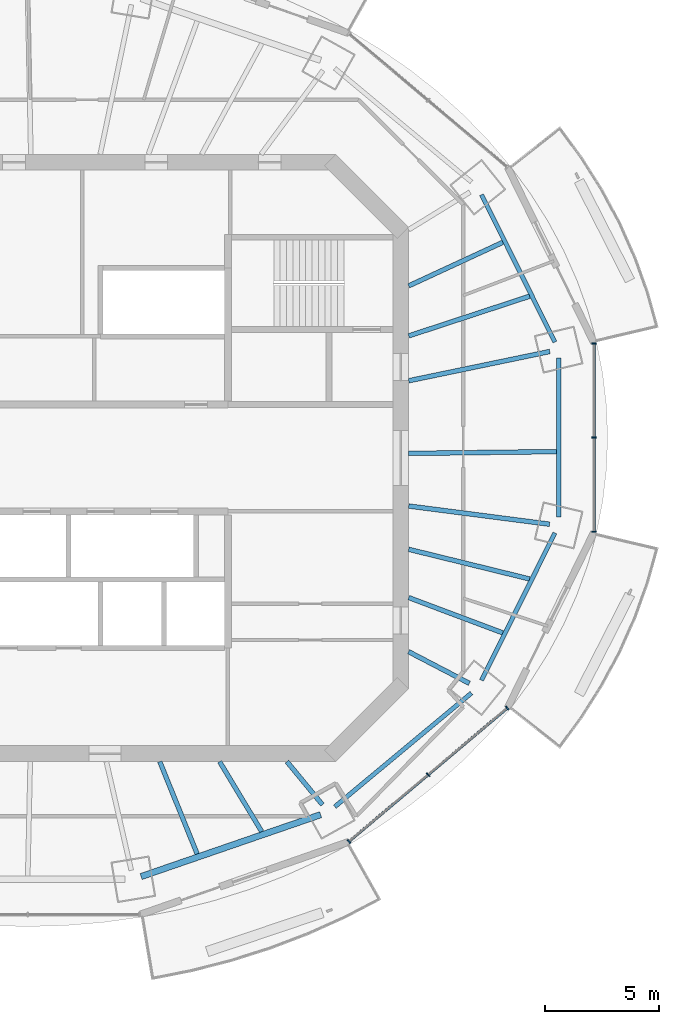
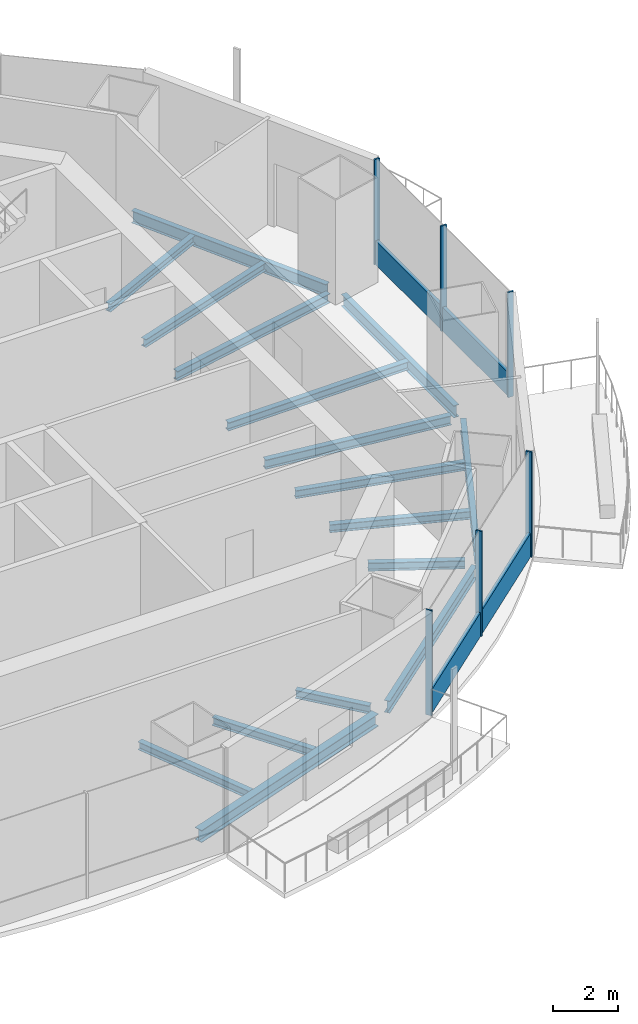
# One storey, part 4 of 15: 16 beams, 8 members, 2 elements without a shape of their own.
"""IFC4 building model written with IfcOpenShell, lengths in metres."""

from ifc_helpers import new_model, si_unit, direction, frame, origin, origin_2d, place, context, subcontext, project, spatial, rectangle, i_section, extrude, material, material_profile, profile_set, type_object, element, aggregate, save


model = new_model("IFC4")

# Units and contexts
model_context = context("Model", 3, precision=1e-05, world=origin(), true_north=direction((0.0, 1.0)))
body_context = subcontext(model_context, "Body", "Model", "MODEL_VIEW")
ifc_project = project(units=[si_unit("LENGTHUNIT", "METRE"), si_unit("AREAUNIT", "SQUARE_METRE"), si_unit("VOLUMEUNIT", "CUBIC_METRE"), si_unit("PLANEANGLEUNIT", "RADIAN"), si_unit("MASSUNIT", "GRAM", prefix="KILO")], contexts=[model_context])

# Site, building, storey
site_placement = place(None, origin())
site = spatial("IfcSite", under=ifc_project, at=site_placement, CompositionType="ELEMENT")
building_placement = place(site_placement, origin())
building = spatial("IfcBuilding", under=site, at=building_placement, Name="Marenthal Gate Tower", CompositionType="ELEMENT")
storey_placement = place(building_placement, frame((0.0, 0.0, 388.25)))
storey = spatial("IfcBuildingStorey", under=building, at=storey_placement, Name="L88", CompositionType="ELEMENT", Elevation=388.25)

# Curtain wall, members
ifc_material_1 = material(Name="Aluminium and glass", Category="aluminium")
curtain_wall_type = type_object("IfcCurtainWallType", Name="Curtain wall typical high", PredefinedType="NOTDEFINED", material=ifc_material_1)
curtain_wall_1_placement = place(storey_placement, origin())
curtain_wall_1 = element("IfcCurtainWall", 1, at=curtain_wall_1_placement, inside=storey, type_object=curtain_wall_type, Name="Curtain wall L88 bay 14", PredefinedType="NOTDEFINED")
ifc_material_2 = material(Name="Aluminium", Category="aluminium")
ifc_material_profile_1 = material_profile(ifc_material_2, rectangle(XDim=0.199951171875, YDim=0.06005859375, at=origin_2d()), Name="60x200 aluminium mullion")
ifc_profile_set_1 = profile_set([ifc_material_profile_1], Name="Aluminium")
member_type_1 = type_object("IfcMemberType", Name="Mullion 60x200 typical high", PredefinedType="MULLION", material=ifc_profile_set_1)
member_1_placement = place(storey_placement, frame((13.723388671875, -16.857421875, 0.0), z_axis=(0.0, 0.0, 1.0), x_axis=(-0.644265226944, 0.764802142616, 0.0)))
member_1 = element("IfcMember", 2, at=member_1_placement, type_object=member_type_1, Name="Mullion L88 bay 14.1", PredefinedType="MULLION", context=body_context, shape_type="SweptSolid", body=[
    extrude(rectangle(XDim=0.199951171875, YDim=0.06005859375, at=origin_2d()), origin(), (0.0, 0.0, 1.0), 3.969970703125),
])
member_2_placement = place(storey_placement, frame((17.20166015625, -13.927490234375, 0.0), z_axis=(0.0, 0.0, 1.0), x_axis=(-0.644265226944, 0.764802142616, 0.0)))
member_2 = element("IfcMember", 3, at=member_2_placement, type_object=member_type_1, Name="Mullion L88 bay 14.2", PredefinedType="MULLION", context=body_context, shape_type="SweptSolid", body=[
    extrude(rectangle(XDim=0.199951171875, YDim=0.06005859375, at=origin_2d()), origin(), (0.0, 0.0, 1.0), 3.969970703125),
])
member_3_placement = place(storey_placement, frame((20.6796875, -10.997314453125, 0.0), z_axis=(0.0, 0.0, 1.0), x_axis=(-0.644265226944, 0.764802142616, 0.0)))
member_3 = element("IfcMember", 4, at=member_3_placement, type_object=member_type_1, Name="Mullion L88 bay 14.3", PredefinedType="MULLION", context=body_context, shape_type="SweptSolid", body=[
    extrude(rectangle(XDim=0.199951171875, YDim=0.06005859375, at=origin_2d()), origin(), (0.0, 0.0, 1.0), 3.969970703125),
])

curtain_wall_2_placement = place(storey_placement, origin())
curtain_wall_2 = element("IfcCurtainWall", 5, at=curtain_wall_2_placement, inside=storey, type_object=curtain_wall_type, Name="Curtain wall L88 bay 16", PredefinedType="NOTDEFINED")
member_4_placement = place(storey_placement, frame((24.4921875, -3.240966796875, 0.0), z_axis=(0.0, 0.0, 1.0), x_axis=(-1.0, 0.0, 0.0)))
member_4 = element("IfcMember", 6, at=member_4_placement, type_object=member_type_1, Name="Mullion L88 bay 16.1", PredefinedType="MULLION", context=body_context, shape_type="SweptSolid", body=[
    extrude(rectangle(XDim=0.199951171875, YDim=0.06005859375, at=origin_2d()), origin(), (0.0, 0.0, 1.0), 3.969970703125),
])
member_5_placement = place(storey_placement, frame((24.4921875, 0.89990234375, 0.0), z_axis=(0.0, 0.0, 1.0), x_axis=(-1.0, 0.0, 0.0)))
member_5 = element("IfcMember", 7, at=member_5_placement, type_object=member_type_1, Name="Mullion L88 bay 16.2", PredefinedType="MULLION", context=body_context, shape_type="SweptSolid", body=[
    extrude(rectangle(XDim=0.199951171875, YDim=0.06005859375, at=origin_2d()), origin(), (0.0, 0.0, 1.0), 3.969970703125),
])
member_6_placement = place(storey_placement, frame((24.4921875, 5.041015625, 0.0), z_axis=(0.0, 0.0, 1.0), x_axis=(-1.0, 0.0, 0.0)))
member_6 = element("IfcMember", 8, at=member_6_placement, type_object=member_type_1, Name="Mullion L88 bay 16.3", PredefinedType="MULLION", context=body_context, shape_type="SweptSolid", body=[
    extrude(rectangle(XDim=0.199951171875, YDim=0.06005859375, at=origin_2d()), origin(), (0.0, 0.0, 1.0), 3.969970703125),
])

# Member
ifc_material_3 = material(Name="Aluminium", Category="aluminium")
ifc_material_profile_2 = material_profile(ifc_material_3, rectangle(XDim=0.1201171875, YDim=0.89990234375, at=origin_2d()), Name="120x900 aluminium transom")
ifc_profile_set_2 = profile_set([ifc_material_profile_2], Name="Aluminium")
member_type_2 = type_object("IfcMemberType", Name="Transom 120x900 typical high", PredefinedType="USERDEFINED", material=ifc_profile_set_2)
member_7_placement = place(storey_placement, frame((13.746337890625, -16.838134765625, 0.449951171875), z_axis=(0.764801880801, 0.644265537743, 0.0), x_axis=(-0.644265537743, 0.764801880801, 0.0)))
member_7 = element("IfcMember", 9, at=member_7_placement, type_object=member_type_2, Name="Transom L88 bay 14", ObjectType="TRANSOM", PredefinedType="USERDEFINED", context=body_context, shape_type="SweptSolid", body=[
    extrude(rectangle(XDim=0.1201171875, YDim=0.89990234375, at=origin_2d()), origin(), (0.0, 0.0, 1.0), 9.03564453125),
])

aggregate(curtain_wall_1, [member_1, member_2, member_3, member_7])

member_8_placement = place(storey_placement, frame((24.4921875, -3.2109375, 0.449951171875), z_axis=(0.0, 1.0, 0.0), x_axis=(-1.0, 0.0, 0.0)))
member_8 = element("IfcMember", 10, at=member_8_placement, type_object=member_type_2, Name="Transom L88 bay 16", ObjectType="TRANSOM", PredefinedType="USERDEFINED", context=body_context, shape_type="SweptSolid", body=[
    extrude(rectangle(XDim=0.1201171875, YDim=0.89990234375, at=origin_2d()), origin(), (0.0, 0.0, 1.0), 8.221923828125),
])

aggregate(curtain_wall_2, [member_4, member_5, member_6, member_8])

# Beams
ifc_material_4 = material(Name="Steel S355", Category="steel")
ifc_material_profile_3 = material_profile(ifc_material_4, i_section(OverallWidth=0.202880859375, OverallDepth=0.302001953125, WebThickness=0.007568359375, FlangeThickness=0.01318359375, FilletRadius=0.0126953125, at=origin_2d()), Name="W310X60")
ifc_profile_set_3 = profile_set([ifc_material_profile_3], Name="Steel S355")
beam_type_1 = type_object("IfcBeamType", Name="W310X60 beam", PredefinedType="BEAM", material=ifc_profile_set_3)
beam_1_placement = place(storey_placement, frame((21.66650390625, 7.11181640625, -0.3310546875), z_axis=(-0.950121914048, -0.311878739971, 0.0), x_axis=(0.311878739971, -0.950121914048, 0.0)))
element("IfcBeam", 11, at=beam_1_placement, inside=storey, type_object=beam_type_1, Name="BM-L88-17", PredefinedType="BEAM", context=body_context, shape_type="SweptSolid", body=[
    extrude(i_section(OverallWidth=0.202880859375, OverallDepth=0.302001953125, WebThickness=0.007568359375, FlangeThickness=0.01318359375, FilletRadius=0.0126953125, at=origin_2d()), origin(), (0.0, 0.0, 1.0), 5.595458984375),
])
beam_2_placement = place(storey_placement, frame((20.48681640625, 9.48095703125, -0.3310546875), z_axis=(-0.907516815218, -0.420015749819, 0.0), x_axis=(0.420015749819, -0.907516815218, 0.0)))
element("IfcBeam", 12, at=beam_2_placement, inside=storey, type_object=beam_type_1, Name="BM-L88-18", PredefinedType="BEAM", context=body_context, shape_type="SweptSolid", body=[
    extrude(i_section(OverallWidth=0.202880859375, OverallDepth=0.302001953125, WebThickness=0.007568359375, FlangeThickness=0.01318359375, FilletRadius=0.0126953125, at=origin_2d()), origin(), (0.0, 0.0, 1.0), 4.558349609375),
])
beam_3_placement = place(storey_placement, frame((7.050537109375, -17.404541015625, -0.3310546875), z_axis=(-0.375486166847, 0.92682799834, 0.0), x_axis=(-0.92682799834, -0.375486166847, 0.0)))
element("IfcBeam", 13, at=beam_3_placement, inside=storey, type_object=beam_type_1, Name="BM-L88-33", PredefinedType="BEAM", context=body_context, shape_type="SweptSolid", body=[
    extrude(i_section(OverallWidth=0.202880859375, OverallDepth=0.302001953125, WebThickness=0.007568359375, FlangeThickness=0.01318359375, FilletRadius=0.0126953125, at=origin_2d()), origin(), (0.0, 0.0, 1.0), 4.37451171875),
])
beam_4_placement = place(storey_placement, frame((9.88916015625, -16.42626953125, -0.3310546875), z_axis=(-0.515795030801, 0.856712020577, 0.0), x_axis=(-0.856712020577, -0.515795030801, 0.0)))
element("IfcBeam", 14, at=beam_4_placement, inside=storey, type_object=beam_type_1, Name="BM-L88-34", PredefinedType="BEAM", context=body_context, shape_type="SweptSolid", body=[
    extrude(i_section(OverallWidth=0.202880859375, OverallDepth=0.302001953125, WebThickness=0.007568359375, FlangeThickness=0.01318359375, FilletRadius=0.0126953125, at=origin_2d()), origin(), (0.0, 0.0, 1.0), 3.590576171875),
])
beam_5_placement = place(storey_placement, frame((20.483642578125, -7.6875, -0.3310546875), z_axis=(-0.936222328992, 0.351408239368, 0.0), x_axis=(-0.351408239368, -0.936222328992, 0.0)))
element("IfcBeam", 15, at=beam_5_placement, inside=storey, type_object=beam_type_1, Name="BM-L88-35", PredefinedType="BEAM", context=body_context, shape_type="SweptSolid", body=[
    extrude(i_section(OverallWidth=0.202880859375, OverallDepth=0.302001953125, WebThickness=0.007568359375, FlangeThickness=0.01318359375, FilletRadius=0.0126953125, at=origin_2d()), origin(), (0.0, 0.0, 1.0), 4.4150390625),
])
beam_6_placement = place(storey_placement, frame((21.6630859375, -5.318603515625, -0.3310546875), z_axis=(-0.971157636969, 0.23843834456, 0.0), x_axis=(-0.23843834456, -0.971157636969, 0.0)))
element("IfcBeam", 16, at=beam_6_placement, inside=storey, type_object=beam_type_1, Name="BM-L88-36", PredefinedType="BEAM", context=body_context, shape_type="SweptSolid", body=[
    extrude(i_section(OverallWidth=0.202880859375, OverallDepth=0.302001953125, WebThickness=0.007568359375, FlangeThickness=0.01318359375, FilletRadius=0.0126953125, at=origin_2d()), origin(), (0.0, 0.0, 1.0), 5.470703125),
])
ifc_material_5 = material(Name="Steel S355", Category="steel")
ifc_material_profile_4 = material_profile(ifc_material_5, i_section(OverallWidth=0.205078125, OverallDepth=0.31005859375, WebThickness=0.009521484375, FlangeThickness=0.016357421875, FilletRadius=0.0126953125, at=origin_2d()), Name="W310X74")
ifc_profile_set_4 = profile_set([ifc_material_profile_4], Name="Steel S355")
beam_type_2 = type_object("IfcBeamType", Name="W310X74 beam", PredefinedType="BEAM", material=ifc_profile_set_4)
beam_7_placement = place(storey_placement, frame((12.55859375, -15.242919921875, -0.3349609375), z_axis=(-0.635836353216, 0.771823899558, 0.0), x_axis=(-0.771823899558, -0.635836353216, 0.0)))
element("IfcBeam", 17, at=beam_7_placement, inside=storey, type_object=beam_type_2, Name="BM-L88-14", PredefinedType="BEAM", context=body_context, shape_type="SweptSolid", body=[
    extrude(i_section(OverallWidth=0.205078125, OverallDepth=0.31005859375, WebThickness=0.009521484375, FlangeThickness=0.016357421875, FilletRadius=0.0126953125, at=origin_2d()), origin(), (0.0, 0.0, 1.0), 2.452392578125),
])
beam_8_placement = place(storey_placement, frame((19.0185546875, -9.9072265625, -0.3349609375), z_axis=(-0.88687114126, 0.462016859866, 0.0), x_axis=(-0.462016859866, -0.88687114126, 0.0)))
element("IfcBeam", 18, at=beam_8_placement, inside=storey, type_object=beam_type_2, Name="BM-L88-15", PredefinedType="BEAM", context=body_context, shape_type="SweptSolid", body=[
    extrude(i_section(OverallWidth=0.205078125, OverallDepth=0.31005859375, WebThickness=0.009521484375, FlangeThickness=0.016357421875, FilletRadius=0.0126953125, at=origin_2d()), origin(), (0.0, 0.0, 1.0), 3.0087890625),
])
beam_9_placement = place(storey_placement, frame((22.84716796875, 0.28076171875, -0.3349609375), z_axis=(-0.999924514888, -0.012286762226, 0.0), x_axis=(0.012286762226, -0.999924514888, 0.0)))
element("IfcBeam", 19, at=beam_9_placement, inside=storey, type_object=beam_type_2, Name="BM-L88-37", PredefinedType="BEAM", context=body_context, shape_type="SweptSolid", body=[
    extrude(i_section(OverallWidth=0.205078125, OverallDepth=0.31005859375, WebThickness=0.009521484375, FlangeThickness=0.016357421875, FilletRadius=0.0126953125, at=origin_2d()), origin(), (0.0, 0.0, 1.0), 6.49755859375),
])
ifc_material_6 = material(Name="Steel S355", Category="steel")
ifc_material_profile_5 = material_profile(ifc_material_6, i_section(OverallWidth=0.205078125, OverallDepth=0.35302734375, WebThickness=0.009521484375, FlangeThickness=0.016845703125, FilletRadius=0.014892578125, at=origin_2d()), Name="W360X79")
ifc_profile_set_5 = profile_set([ifc_material_profile_5], Name="Steel S355")
beam_type_3 = type_object("IfcBeamType", Name="W360X79 beam", PredefinedType="BEAM", material=ifc_profile_set_5)
beam_10_placement = place(storey_placement, frame((22.55078125, 4.681396484375, -0.3564453125), z_axis=(-0.979128337285, -0.203242955908, 0.0), x_axis=(0.203242955908, -0.979128337285, 0.0)))
element("IfcBeam", 20, at=beam_10_placement, inside=storey, type_object=beam_type_3, Name="BM-L88-01", PredefinedType="BEAM", context=body_context, shape_type="SweptSolid", body=[
    extrude(i_section(OverallWidth=0.205078125, OverallDepth=0.35302734375, WebThickness=0.009521484375, FlangeThickness=0.016845703125, FilletRadius=0.014892578125, at=origin_2d()), origin(), (0.0, 0.0, 1.0), 6.332763671875),
])
beam_11_placement = place(storey_placement, frame((22.541015625, -2.910888671875, -0.3564453125), z_axis=(-0.991762968322, 0.128086746638, 0.0), x_axis=(-0.128086746638, -0.991762968322, 0.0)))
element("IfcBeam", 21, at=beam_11_placement, inside=storey, type_object=beam_type_3, Name="BM-L88-16", PredefinedType="BEAM", context=body_context, shape_type="SweptSolid", body=[
    extrude(i_section(OverallWidth=0.205078125, OverallDepth=0.35302734375, WebThickness=0.009521484375, FlangeThickness=0.016845703125, FilletRadius=0.014892578125, at=origin_2d()), origin(), (0.0, 0.0, 1.0), 6.242431640625),
])
ifc_material_7 = material(Name="Steel S355", Category="steel")
ifc_material_profile_6 = material_profile(ifc_material_7, i_section(OverallWidth=0.279052734375, OverallDepth=0.4619140625, WebThickness=0.0107421875, FlangeThickness=0.017333984375, FilletRadius=0.010009765625, at=origin_2d()), Name="W460X113")
ifc_profile_set_6 = profile_set([ifc_material_profile_6], Name="Steel S355")
beam_type_4 = type_object("IfcBeamType", Name="W460X113 beam", PredefinedType="BEAM", material=ifc_profile_set_6)
beam_12_placement = place(storey_placement, frame((4.58544921875, -18.401611328125, -0.410888671875), z_axis=(0.94543573541, 0.325808640478, 0.0), x_axis=(-0.325808640478, 0.94543573541, 0.0)))
element("IfcBeam", 22, at=beam_12_placement, inside=storey, type_object=beam_type_4, Name="BM-L88-50", PredefinedType="BEAM", context=body_context, shape_type="SweptSolid", body=[
    extrude(i_section(OverallWidth=0.279052734375, OverallDepth=0.4619140625, WebThickness=0.0107421875, FlangeThickness=0.017333984375, FilletRadius=0.010009765625, at=origin_2d()), origin(), (0.0, 0.0, 1.0), 8.34912109375),
])
ifc_material_8 = material(Name="Steel S355", Category="steel")
ifc_material_profile_7 = material_profile(ifc_material_8, i_section(OverallWidth=0.19091796875, OverallDepth=0.45703125, WebThickness=0.009033203125, FlangeThickness=0.014404296875, FilletRadius=0.01025390625, at=origin_2d()), Name="W460X74")
ifc_profile_set_7 = profile_set([ifc_material_profile_7], Name="Steel S355")
beam_type_5 = type_object("IfcBeamType", Name="W460X74 beam", PredefinedType="BEAM", material=ifc_profile_set_7)
beam_13_placement = place(storey_placement, frame((22.776611328125, 5.09619140625, -0.408447265625), z_axis=(-0.445686804831, 0.895188958824, 0.0), x_axis=(-0.895188958824, -0.445686804831, 0.0)))
element("IfcBeam", 23, at=beam_13_placement, inside=storey, type_object=beam_type_5, Name="BM-L88-38", PredefinedType="BEAM", context=body_context, shape_type="SweptSolid", body=[
    extrude(i_section(OverallWidth=0.19091796875, OverallDepth=0.45703125, WebThickness=0.009033203125, FlangeThickness=0.014404296875, FilletRadius=0.01025390625, at=origin_2d()), origin(), (0.0, 0.0, 1.0), 7.230712890625),
])
beam_14_placement = place(storey_placement, frame((13.103271484375, -15.32958984375, -0.408447265625), z_axis=(0.768754019675, 0.63954457017, 0.0), x_axis=(-0.63954457017, 0.768754019675, 0.0)))
element("IfcBeam", 24, at=beam_14_placement, inside=storey, type_object=beam_type_5, Name="BM-L88-51", PredefinedType="BEAM", context=body_context, shape_type="SweptSolid", body=[
    extrude(i_section(OverallWidth=0.19091796875, OverallDepth=0.45703125, WebThickness=0.009033203125, FlangeThickness=0.014404296875, FilletRadius=0.01025390625, at=origin_2d()), origin(), (0.0, 0.0, 1.0), 7.809326171875),
])
beam_15_placement = place(storey_placement, frame((19.553955078125, -9.76904296875, -0.408447265625), z_axis=(0.445686804831, 0.895188958824, 0.0), x_axis=(-0.895188958824, 0.445686804831, 0.0)))
element("IfcBeam", 25, at=beam_15_placement, inside=storey, type_object=beam_type_5, Name="BM-L88-52", PredefinedType="BEAM", context=body_context, shape_type="SweptSolid", body=[
    extrude(i_section(OverallWidth=0.19091796875, OverallDepth=0.45703125, WebThickness=0.009033203125, FlangeThickness=0.014404296875, FilletRadius=0.01025390625, at=origin_2d()), origin(), (0.0, 0.0, 1.0), 7.230712890625),
])
beam_16_placement = place(storey_placement, frame((22.942626953125, -2.5888671875, -0.408447265625), z_axis=(0.0, 1.0, 0.0), x_axis=(-1.0, 0.0, 0.0)))
element("IfcBeam", 26, at=beam_16_placement, inside=storey, type_object=beam_type_5, Name="BM-L88-53", PredefinedType="BEAM", context=body_context, shape_type="SweptSolid", body=[
    extrude(i_section(OverallWidth=0.19091796875, OverallDepth=0.45703125, WebThickness=0.009033203125, FlangeThickness=0.014404296875, FilletRadius=0.01025390625, at=origin_2d()), origin(), (0.0, 0.0, 1.0), 6.977783203125),
])

save(model, "model.ifc")
